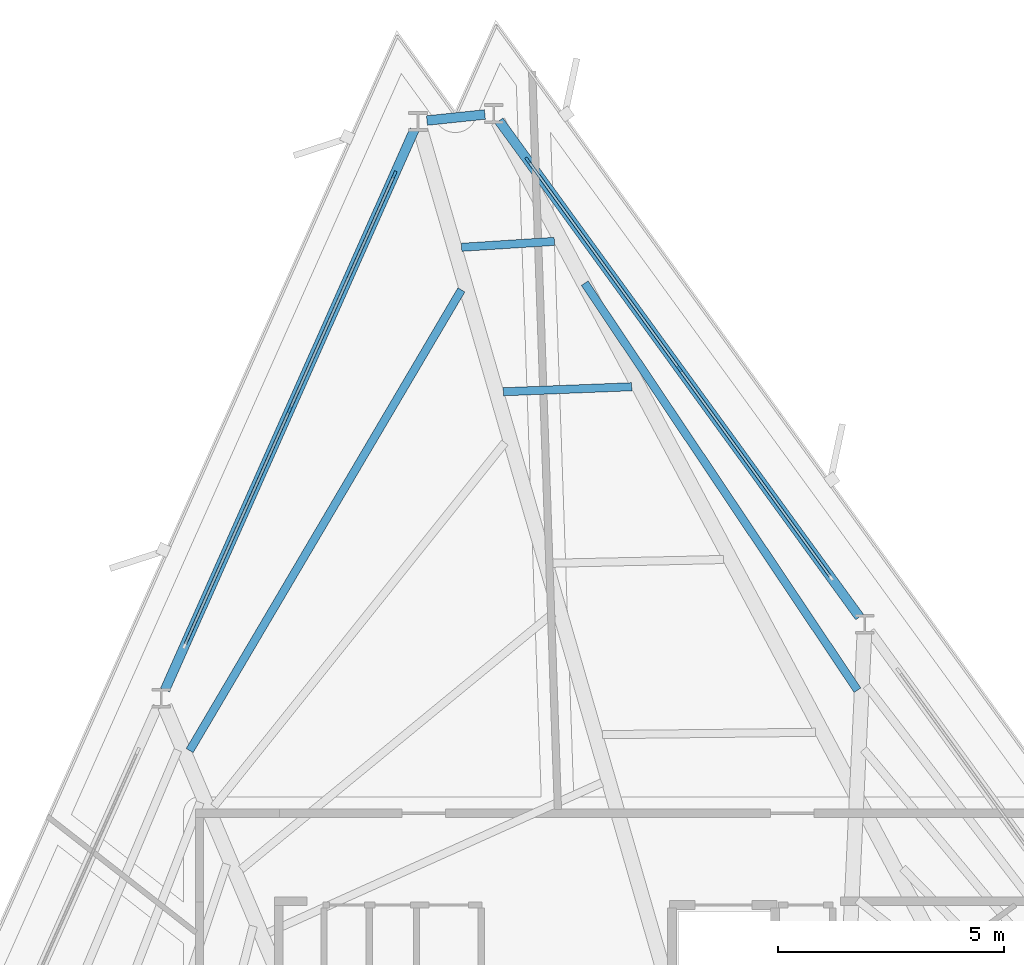
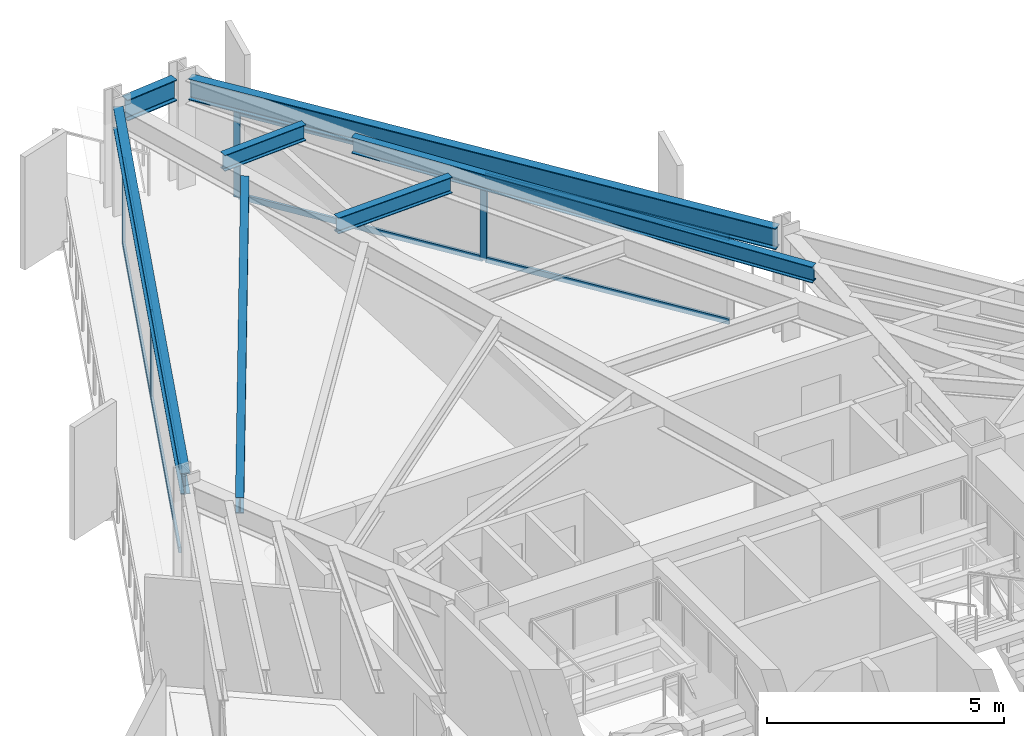
# One storey, part 6 of 12: 12 members, 7 beams, 2 elements without a shape of their own.
"""IFC4 building model written with IfcOpenShell, lengths in metres."""

from ifc_helpers import new_model, si_unit, direction, frame, origin, origin_2d, place, context, subcontext, project, spatial, rectangle, i_section, extrude, material, layer, layer_set, material_profile, profile_set, type_object, element, aggregate, save


model = new_model("IFC4")

# Units and contexts
model_context = context("Model", 3, precision=1e-05, world=origin(), true_north=direction((0.0, 1.0)))
body_context = subcontext(model_context, "Body", "Model", "MODEL_VIEW")
ifc_project = project(units=[si_unit("LENGTHUNIT", "METRE"), si_unit("AREAUNIT", "SQUARE_METRE"), si_unit("VOLUMEUNIT", "CUBIC_METRE"), si_unit("PLANEANGLEUNIT", "RADIAN"), si_unit("MASSUNIT", "GRAM", prefix="KILO")], contexts=[model_context])

# Site, building, storey
site_placement = place(None, origin())
site = spatial("IfcSite", under=ifc_project, at=site_placement, CompositionType="ELEMENT")
building_placement = place(site_placement, origin())
building = spatial("IfcBuilding", under=site, at=building_placement, Name="Rocaltana Carrier Exchange", CompositionType="ELEMENT")
storey_placement = place(building_placement, frame((0.0, 0.0, 110.719970703125)))
storey = spatial("IfcBuildingStorey", under=building, at=storey_placement, Name="L34", CompositionType="ELEMENT", Elevation=110.719970703125)

# Curtain wall, members
ifc_material_1 = material(Name="Aluminium 6063-T6", Category="aluminium")
ifc_layer = layer(ifc_material_1, 0.14990234375)
ifc_layer_set = layer_set([ifc_layer], Name="Aluminium 6063-T6")
curtain_wall_type = type_object("IfcCurtainWallType", Name="Mid-Tower Unitised Curtain Wall CW-03", PredefinedType="NOTDEFINED", material=ifc_layer_set)
curtain_wall_1_placement = place(storey_placement, origin())
curtain_wall_1 = element("IfcCurtainWall", 1, at=curtain_wall_1_placement, inside=storey, type_object=curtain_wall_type, Name="L34 CW-03 Run CW-L34-F1S3", PredefinedType="NOTDEFINED")
ifc_material_2 = material(Name="Aluminium 6063-T6", Category="aluminium")
ifc_material_profile_1 = material_profile(ifc_material_2, rectangle(XDim=0.06005859375, YDim=0.14990234375, at=origin_2d()), Name="AL-60X150")
ifc_profile_set_1 = profile_set([ifc_material_profile_1], Name="Aluminium 6063-T6")
member_type_1 = type_object("IfcMemberType", Name="CW-03 Mullion AL-60X150", PredefinedType="MULLION", material=ifc_profile_set_1)
member_1_placement = place(storey_placement, frame((2.363037109375, 18.980712890625, 0.0), z_axis=(0.0, 0.0, 1.0), x_axis=(-0.809013555195, -0.587789985889, 0.0)))
member_1 = element("IfcMember", 2, at=member_1_placement, type_object=member_type_1, Name="CW-03 mullion 2", PredefinedType="MULLION", context=body_context, shape_type="SweptSolid", body=[
    extrude(rectangle(XDim=0.06005859375, YDim=0.14990234375, at=origin_2d()), origin(), (0.0, 0.0, 1.0), 2.218017578125),
])
member_2_placement = place(storey_placement, frame((-0.9892578125, 23.5947265625, 0.0), z_axis=(0.0, 0.0, 1.0), x_axis=(-0.809013555195, -0.587789985889, 0.0)))
member_2 = element("IfcMember", 3, at=member_2_placement, type_object=member_type_1, Name="CW-03 mullion 3", PredefinedType="MULLION", context=body_context, shape_type="SweptSolid", body=[
    extrude(rectangle(XDim=0.06005859375, YDim=0.14990234375, at=origin_2d()), origin(), (0.0, 0.0, 1.0), 2.218017578125),
])

curtain_wall_2_placement = place(storey_placement, origin())
curtain_wall_2 = element("IfcCurtainWall", 4, at=curtain_wall_2_placement, inside=storey, type_object=curtain_wall_type, Name="L34 CW-03 Run CW-L34-F2S1", PredefinedType="NOTDEFINED")
member_3_placement = place(storey_placement, frame((-3.93798828125, 23.284912109375, 0.0), z_axis=(0.0, 0.0, 1.0), x_axis=(0.913543791084, -0.406740386206, 0.0)))
member_3 = element("IfcMember", 5, at=member_3_placement, type_object=member_type_1, Name="CW-03 mullion 1", PredefinedType="MULLION", context=body_context, shape_type="SweptSolid", body=[
    extrude(rectangle(XDim=0.06005859375, YDim=0.14990234375, at=origin_2d()), origin(), (0.0, 0.0, 1.0), 2.218017578125),
])
member_4_placement = place(storey_placement, frame((-6.2578125, 18.074462890625, 0.0), z_axis=(0.0, 0.0, 1.0), x_axis=(0.913543791084, -0.406740386206, 0.0)))
member_4 = element("IfcMember", 6, at=member_4_placement, type_object=member_type_1, Name="CW-03 mullion 2", PredefinedType="MULLION", context=body_context, shape_type="SweptSolid", body=[
    extrude(rectangle(XDim=0.06005859375, YDim=0.14990234375, at=origin_2d()), origin(), (0.0, 0.0, 1.0), 2.218017578125),
])

# Member
ifc_material_3 = material(Name="Aluminium 6063-T6", Category="aluminium")
ifc_material_profile_2 = material_profile(ifc_material_3, rectangle(XDim=0.06005859375, YDim=0.14990234375, at=origin_2d()), Name="AL-60X150")
ifc_profile_set_2 = profile_set([ifc_material_profile_2], Name="Aluminium 6063-T6")
member_type_2 = type_object("IfcMemberType", Name="CW-03 Transom AL-60X150", PredefinedType="USERDEFINED", material=ifc_profile_set_2)
member_5_placement = place(storey_placement, frame((5.69775390625, 14.390869140625, 0.030029296875), z_axis=(-0.587803791035, 0.809003524866, 0.0), x_axis=(-0.809003524866, -0.587803791035, 0.0)))
member_5 = element("IfcMember", 7, at=member_5_placement, type_object=member_type_2, Name="CW-03 transom 1.1", ObjectType="TRANSOM", PredefinedType="USERDEFINED", context=body_context, shape_type="SweptSolid", body=[
    extrude(rectangle(XDim=0.06005859375, YDim=0.14990234375, at=origin_2d()), origin(), (0.0, 0.0, 1.0), 5.643310546875),
])

member_6_placement = place(storey_placement, frame((5.69775390625, 14.390869140625, 2.18798828125), z_axis=(-0.587803791035, 0.809003524866, 0.0), x_axis=(-0.809003524866, -0.587803791035, 0.0)))
member_6 = element("IfcMember", 8, at=member_6_placement, type_object=member_type_2, Name="CW-03 transom 1.2", ObjectType="TRANSOM", PredefinedType="USERDEFINED", context=body_context, shape_type="SweptSolid", body=[
    extrude(rectangle(XDim=0.06005859375, YDim=0.14990234375, at=origin_2d()), origin(), (0.0, 0.0, 1.0), 5.643310546875),
])

member_7_placement = place(storey_placement, frame((2.345458984375, 19.0048828125, 0.030029296875), z_axis=(-0.58778321885, 0.809018471753, 0.0), x_axis=(-0.809018471753, -0.58778321885, 0.0)))
member_7 = element("IfcMember", 9, at=member_7_placement, type_object=member_type_2, Name="CW-03 transom 2.1", ObjectType="TRANSOM", PredefinedType="USERDEFINED", context=body_context, shape_type="SweptSolid", body=[
    extrude(rectangle(XDim=0.06005859375, YDim=0.14990234375, at=origin_2d()), origin(), (0.0, 0.0, 1.0), 5.6435546875),
])

member_8_placement = place(storey_placement, frame((2.345458984375, 19.0048828125, 2.18798828125), z_axis=(-0.58778321885, 0.809018471753, 0.0), x_axis=(-0.809018471753, -0.58778321885, 0.0)))
member_8 = element("IfcMember", 10, at=member_8_placement, type_object=member_type_2, Name="CW-03 transom 2.2", ObjectType="TRANSOM", PredefinedType="USERDEFINED", context=body_context, shape_type="SweptSolid", body=[
    extrude(rectangle(XDim=0.06005859375, YDim=0.14990234375, at=origin_2d()), origin(), (0.0, 0.0, 1.0), 5.6435546875),
])

aggregate(curtain_wall_1, [member_1, member_2, member_5, member_6, member_7, member_8])

member_9_placement = place(storey_placement, frame((-3.9501953125, 23.25732421875, 0.030029296875), z_axis=(-0.406740464784, -0.913543756099, 0.0), x_axis=(0.913543756099, -0.406740464784, 0.0)))
member_9 = element("IfcMember", 11, at=member_9_placement, type_object=member_type_2, Name="CW-03 transom 1.1", ObjectType="TRANSOM", PredefinedType="USERDEFINED", context=body_context, shape_type="SweptSolid", body=[
    extrude(rectangle(XDim=0.06005859375, YDim=0.14990234375, at=origin_2d()), origin(), (0.0, 0.0, 1.0), 5.643310546875),
])

member_10_placement = place(storey_placement, frame((-3.9501953125, 23.25732421875, 2.18798828125), z_axis=(-0.406740464784, -0.913543756099, 0.0), x_axis=(0.913543756099, -0.406740464784, 0.0)))
member_10 = element("IfcMember", 12, at=member_10_placement, type_object=member_type_2, Name="CW-03 transom 1.2", ObjectType="TRANSOM", PredefinedType="USERDEFINED", context=body_context, shape_type="SweptSolid", body=[
    extrude(rectangle(XDim=0.06005859375, YDim=0.14990234375, at=origin_2d()), origin(), (0.0, 0.0, 1.0), 5.643310546875),
])

member_11_placement = place(storey_placement, frame((-6.27001953125, 18.047119140625, 0.030029296875), z_axis=(-0.406704359788, -0.913559830405, 0.0), x_axis=(0.913559830405, -0.406704359788, 0.0)))
member_11 = element("IfcMember", 13, at=member_11_placement, type_object=member_type_2, Name="CW-03 transom 2.1", ObjectType="TRANSOM", PredefinedType="USERDEFINED", context=body_context, shape_type="SweptSolid", body=[
    extrude(rectangle(XDim=0.06005859375, YDim=0.14990234375, at=origin_2d()), origin(), (0.0, 0.0, 1.0), 5.643310546875),
])

member_12_placement = place(storey_placement, frame((-6.27001953125, 18.047119140625, 2.18798828125), z_axis=(-0.406704359788, -0.913559830405, 0.0), x_axis=(0.913559830405, -0.406704359788, 0.0)))
member_12 = element("IfcMember", 14, at=member_12_placement, type_object=member_type_2, Name="CW-03 transom 2.2", ObjectType="TRANSOM", PredefinedType="USERDEFINED", context=body_context, shape_type="SweptSolid", body=[
    extrude(rectangle(XDim=0.06005859375, YDim=0.14990234375, at=origin_2d()), origin(), (0.0, 0.0, 1.0), 5.643310546875),
])

aggregate(curtain_wall_2, [member_3, member_4, member_9, member_10, member_11, member_12])

# Beams
ifc_material_4 = material(Name="Steel S355", Category="steel")
ifc_material_profile_3 = material_profile(ifc_material_4, i_section(OverallWidth=0.179931640625, OverallDepth=0.4130859375, WebThickness=0.009765625, FlangeThickness=0.01611328125, FilletRadius=0.012939453125, at=origin_2d()), Name="W16X50")
ifc_profile_set_3 = profile_set([ifc_material_profile_3], Name="Steel S355")
beam_type_1 = type_object("IfcBeamType", Name="Floor Joist W16X50", PredefinedType="JOIST", material=ifc_profile_set_3)
beam_1_placement = place(storey_placement, frame((6.3056640625, 11.87109375, 2.58154296875), z_axis=(-0.556730424086, 0.830693225503, 0.0), x_axis=(-0.830693225503, -0.556730424086, 0.0)))
element("IfcBeam", 15, at=beam_1_placement, inside=storey, type_object=beam_type_1, Name="FJ-L34-03-4", PredefinedType="JOIST", context=body_context, shape_type="SweptSolid", body=[
    extrude(i_section(OverallWidth=0.179931640625, OverallDepth=0.4130859375, WebThickness=0.009765625, FlangeThickness=0.01611328125, FilletRadius=0.012939453125, at=origin_2d()), origin(), (0.0, 0.0, 1.0), 10.841552734375),
])
beam_2_placement = place(storey_placement, frame((1.31005859375, 18.585205078125, 2.58154296875), z_axis=(-0.999236623871, -0.039066219613, 0.0), x_axis=(0.039066219613, -0.999236623871, 0.0)))
element("IfcBeam", 16, at=beam_2_placement, inside=storey, type_object=beam_type_1, Name="FJ-L34-04-3", PredefinedType="JOIST", context=body_context, shape_type="SweptSolid", body=[
    extrude(i_section(OverallWidth=0.179931640625, OverallDepth=0.4130859375, WebThickness=0.009765625, FlangeThickness=0.01611328125, FilletRadius=0.012939453125, at=origin_2d()), origin(), (0.0, 0.0, 1.0), 2.843505859375),
])
beam_3_placement = place(storey_placement, frame((-0.400390625, 21.802001953125, 2.58154296875), z_axis=(-0.99795348831, -0.063944000261, 0.0), x_axis=(0.063944000261, -0.99795348831, 0.0)))
element("IfcBeam", 17, at=beam_3_placement, inside=storey, type_object=beam_type_1, Name="FJ-L34-04-4", PredefinedType="JOIST", context=body_context, shape_type="SweptSolid", body=[
    extrude(i_section(OverallWidth=0.179931640625, OverallDepth=0.4130859375, WebThickness=0.009765625, FlangeThickness=0.01611328125, FilletRadius=0.012939453125, at=origin_2d()), origin(), (0.0, 0.0, 1.0), 2.057861328125),
])
beam_4_placement = place(storey_placement, frame((-2.45849609375, 20.72802734375, 2.58154296875), z_axis=(-0.507982665152, -0.861367292103, 0.0), x_axis=(0.861367292103, -0.507982665152, 0.0)))
element("IfcBeam", 18, at=beam_4_placement, inside=storey, type_object=beam_type_1, Name="FJ-L34-05-4", PredefinedType="JOIST", context=body_context, shape_type="SweptSolid", body=[
    extrude(i_section(OverallWidth=0.179931640625, OverallDepth=0.4130859375, WebThickness=0.009765625, FlangeThickness=0.01611328125, FilletRadius=0.012939453125, at=origin_2d()), origin(), (0.0, 0.0, 1.0), 11.83447265625),
])
ifc_material_5 = material(Name="Steel S355", Category="steel")
ifc_material_profile_4 = material_profile(ifc_material_5, i_section(OverallWidth=0.2119140625, OverallDepth=0.5439453125, WebThickness=0.01318359375, FlangeThickness=0.021240234375, FilletRadius=0.014892578125, at=origin_2d()), Name="W21X83")
ifc_profile_set_4 = profile_set([ifc_material_profile_4], Name="Steel S355")
beam_type_2 = type_object("IfcBeamType", Name="Spandrel Edge Beam W21X83", PredefinedType="SPANDREL", material=ifc_profile_set_4)
beam_5_placement = place(storey_placement, frame((6.351318359375, 13.4912109375, 2.51611328125), z_axis=(-0.587777981524, 0.809022276847, 0.0), x_axis=(-0.809022276847, -0.587777981524, 0.0)))
element("IfcBeam", 19, at=beam_5_placement, inside=storey, type_object=beam_type_2, Name="SP-L34-03", PredefinedType="SPANDREL", context=body_context, shape_type="SweptSolid", body=[
    extrude(i_section(OverallWidth=0.2119140625, OverallDepth=0.5439453125, WebThickness=0.01318359375, FlangeThickness=0.021240234375, FilletRadius=0.014892578125, at=origin_2d()), origin(), (0.0, 0.0, 1.0), 13.57080078125),
])
beam_6_placement = place(storey_placement, frame((-1.9384765625, 24.609619140625, 2.51611328125), z_axis=(-0.994519972374, -0.104546757713, 0.0), x_axis=(0.104546757713, -0.994519972374, 0.0)))
element("IfcBeam", 20, at=beam_6_placement, inside=storey, type_object=beam_type_2, Name="SP-L34-04", PredefinedType="SPANDREL", context=body_context, shape_type="SweptSolid", body=[
    extrude(i_section(OverallWidth=0.2119140625, OverallDepth=0.5439453125, WebThickness=0.01318359375, FlangeThickness=0.021240234375, FilletRadius=0.014892578125, at=origin_2d()), origin(), (0.0, 0.0, 1.0), 1.2890625),
])
beam_7_placement = place(storey_placement, frame((-3.497802734375, 24.273193359375, 2.51611328125), z_axis=(-0.406740957499, -0.913543536725, 0.0), x_axis=(0.913543536725, -0.406740957499, 0.0)))
element("IfcBeam", 21, at=beam_7_placement, inside=storey, type_object=beam_type_2, Name="SP-L34-05", PredefinedType="SPANDREL", context=body_context, shape_type="SweptSolid", body=[
    extrude(i_section(OverallWidth=0.2119140625, OverallDepth=0.5439453125, WebThickness=0.01318359375, FlangeThickness=0.021240234375, FilletRadius=0.014892578125, at=origin_2d()), origin(), (0.0, 0.0, 1.0), 13.57080078125),
])

save(model, "model.ifc")
